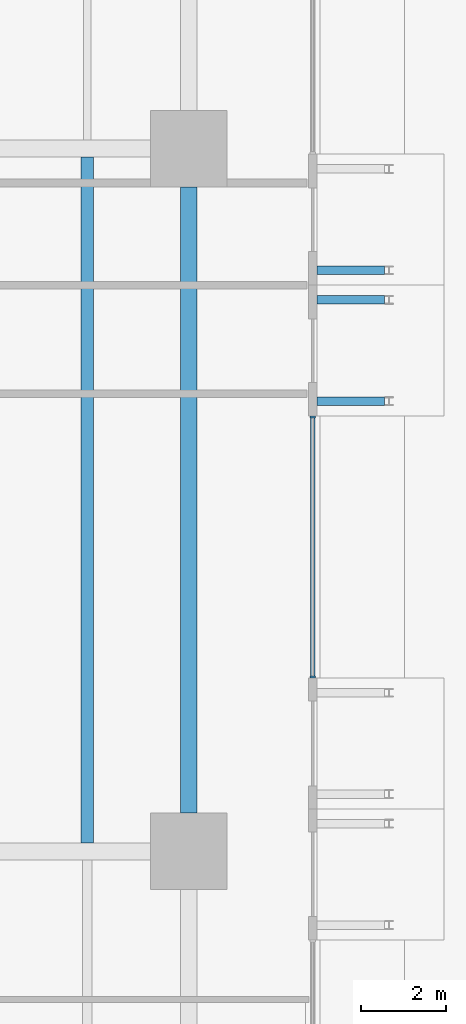
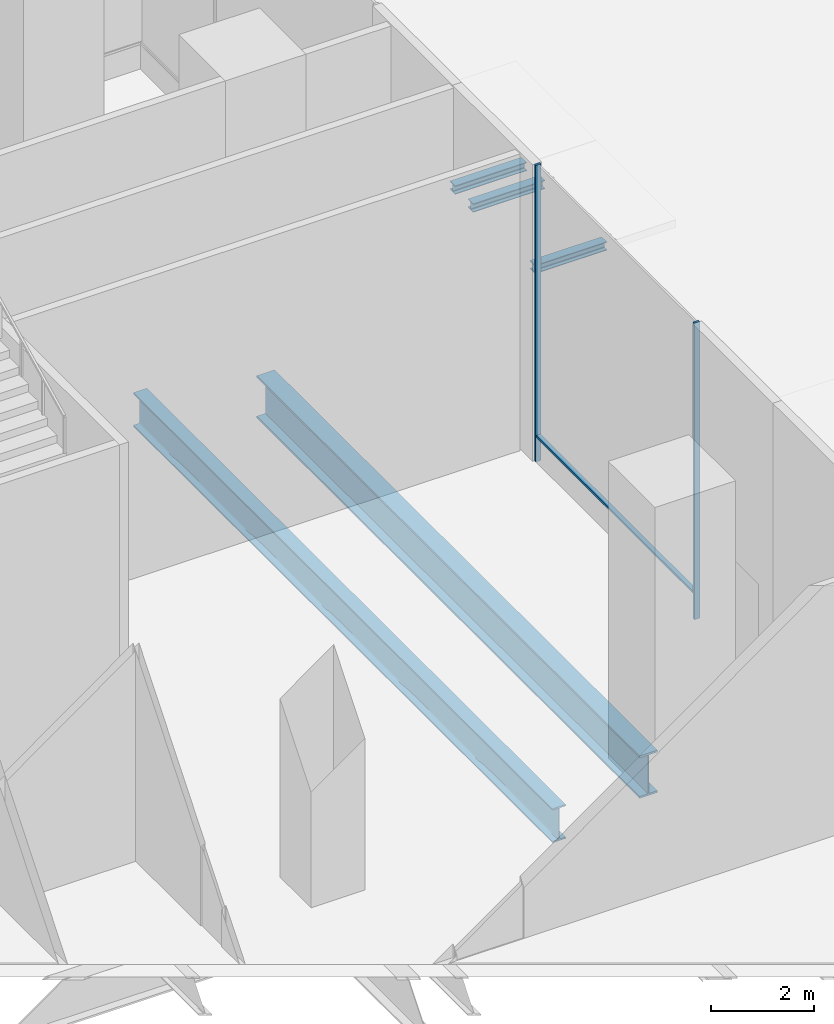
# One storey, part 21 of 41: 5 beams, 3 members, 1 element without a shape of its own.
"""IFC4 building model written with IfcOpenShell, lengths in metres."""

from ifc_helpers import new_model, si_unit, direction, frame, origin, origin_2d, place, context, subcontext, project, spatial, rectangle, i_section, extrude, material, layer, layer_set, material_profile, profile_set, type_object, element, aggregate, save


model = new_model("IFC4")

# Units and contexts
model_context = context("Model", 3, precision=1e-05, world=origin(), true_north=direction((0.0, 1.0)))
body_context = subcontext(model_context, "Body", "Model", "MODEL_VIEW")
ifc_project = project(units=[si_unit("LENGTHUNIT", "METRE"), si_unit("AREAUNIT", "SQUARE_METRE"), si_unit("VOLUMEUNIT", "CUBIC_METRE"), si_unit("PLANEANGLEUNIT", "RADIAN"), si_unit("MASSUNIT", "GRAM", prefix="KILO")], contexts=[model_context])

# Site, building, storey
site_placement = place(None, origin())
site = spatial("IfcSite", under=ifc_project, at=site_placement, CompositionType="ELEMENT")
building_placement = place(site_placement, origin())
building = spatial("IfcBuilding", under=site, at=building_placement, Name="Rattan Terrace Tower", CompositionType="ELEMENT")
storey_placement = place(building_placement, origin())
storey = spatial("IfcBuildingStorey", under=building, at=storey_placement, Name="L00", CompositionType="ELEMENT", Elevation=0.0)

# Beams
ifc_material_1 = material(Name="Structural steel S355", Category="steel")
ifc_material_profile_1 = material_profile(ifc_material_1, i_section(OverallWidth=0.199951171875, OverallDepth=0.199951171875, WebThickness=0.009033203125, FlangeThickness=0.014892578125, FilletRadius=0.01806640625, at=origin_2d()), Name="HE 200 B")
ifc_profile_set_1 = profile_set([ifc_material_profile_1], Name="Structural steel S355")
beam_type_1 = type_object("IfcBeamType", Name="Canopy beam HE 200 B", PredefinedType="BEAM", material=ifc_profile_set_1)
for number, where, z_axis, x_axis, name in (
    (1, (36.929931640625, -2.865966796875, 4.300048828125), (1.0, 0.0, 0.0), (0.0, 1.0, 0.0), "Canopy beam 011a"),
    (2, (36.929931640625, -0.471923828125, 4.300048828125), (1.0, 0.0, 0.0), (0.0, 1.0, 0.0), "Canopy beam 011b"),
    (3, (36.929931640625, 0.22802734375, 4.300048828125), (1.0, 0.0, 0.0), (0.0, 1.0, 0.0), "Canopy beam 016a"),
):
    element("IfcBeam", number, at=place(storey_placement, frame(where, z_axis=z_axis, x_axis=x_axis)), inside=storey, type_object=beam_type_1, Name=name, PredefinedType="BEAM", context=body_context, shape_type="SweptSolid", body=[
        extrude(i_section(OverallWidth=0.199951171875, OverallDepth=0.199951171875, WebThickness=0.009033203125, FlangeThickness=0.014892578125, FilletRadius=0.01806640625, at=origin_2d()), origin(), (0.0, 0.0, 1.0), 1.60009765625),
    ])
ifc_material_2 = material(Name="Steel S355", Category="steel")
ifc_material_profile_2 = material_profile(ifc_material_2, i_section(OverallWidth=0.300048828125, OverallDepth=0.800048828125, WebThickness=0.017578125, FlangeThickness=0.032958984375, FilletRadius=0.030029296875, at=origin_2d()), Name="HE 800 B")
ifc_profile_set_2 = profile_set([ifc_material_profile_2], Name="Steel S355")
beam_type_2 = type_object("IfcBeamType", Name="Frame floor beam HE 800 B", PredefinedType="JOIST", material=ifc_profile_set_2)
beam_1_placement = place(storey_placement, frame((31.5, -13.300048828125, -0.60009765625), z_axis=(0.0, 1.0, 0.0), x_axis=(-1.0, 0.0, 0.0)))
element("IfcBeam", 4, at=beam_1_placement, inside=storey, type_object=beam_type_2, Name="bm-L00-038", PredefinedType="JOIST", context=body_context, shape_type="SweptSolid", body=[
    extrude(i_section(OverallWidth=0.300048828125, OverallDepth=0.800048828125, WebThickness=0.017578125, FlangeThickness=0.032958984375, FilletRadius=0.030029296875, at=origin_2d()), origin(), (0.0, 0.0, 1.0), 16.199951171875),
])
ifc_material_3 = material(Name="Steel S460", Category="steel")
ifc_material_profile_3 = material_profile(ifc_material_3, i_section(OverallWidth=0.39990234375, OverallDepth=1.0, WebThickness=0.01806640625, FlangeThickness=0.044921875, at=origin_2d()), Name="PG 1000x400-18-45")
ifc_profile_set_3 = profile_set([ifc_material_profile_3], Name="Steel S460")
beam_type_3 = type_object("IfcBeamType", Name="Frame podium girder PG 1000x400-18-45", PredefinedType="USERDEFINED", material=ifc_profile_set_3)
beam_2_placement = place(storey_placement, frame((33.89990234375, -12.60009765625, -0.699951171875), z_axis=(0.0, 1.0, 0.0), x_axis=(-1.0, 0.0, 0.0)))
element("IfcBeam", 5, at=beam_2_placement, inside=storey, type_object=beam_type_3, Name="gdr-L00-039", ObjectType="PODIUM GIRDER", PredefinedType="USERDEFINED", context=body_context, shape_type="SweptSolid", body=[
    extrude(i_section(OverallWidth=0.39990234375, OverallDepth=1.0, WebThickness=0.01806640625, FlangeThickness=0.044921875, at=origin_2d()), origin(), (0.0, 0.0, 1.0), 14.800048828125),
])

# Curtain wall, members
ifc_material_4 = material(Name="Aluminium and glass", Category="aluminium")
ifc_layer = layer(ifc_material_4, 0.1201171875)
ifc_layer_set = layer_set([ifc_layer], Name="Station Storefront Curtain Wall")
curtain_wall_type = type_object("IfcCurtainWallType", Name="Station Storefront Curtain Wall", PredefinedType="NOTDEFINED", material=ifc_layer_set)
curtain_wall_placement = place(storey_placement, origin())
curtain_wall = element("IfcCurtainWall", 6, at=curtain_wall_placement, inside=storey, type_object=curtain_wall_type, Name="Storefront curtain wall L00-2", PredefinedType="NOTDEFINED")
ifc_material_5 = material(Name="Aluminium", Category="aluminium")
ifc_material_profile_4 = material_profile(ifc_material_5, rectangle(XDim=0.050048828125, YDim=0.1201171875, at=origin_2d()), Name="Aluminium 50x120")
ifc_profile_set_4 = profile_set([ifc_material_profile_4], Name="Aluminium")
member_type_1 = type_object("IfcMemberType", Name="Storefront CW Mullion 50x120", PredefinedType="MULLION", material=ifc_profile_set_4)
member_1_placement = place(storey_placement, frame((36.830078125, -9.37890625, 0.0), z_axis=(0.0, 0.0, 1.0), x_axis=(0.0, 1.0, 0.0)))
member_1 = element("IfcMember", 7, at=member_1_placement, type_object=member_type_1, Name="Mullion cwl-L00-002.1", PredefinedType="MULLION", context=body_context, shape_type="SweptSolid", body=[
    extrude(rectangle(XDim=0.050048828125, YDim=0.1201171875, at=origin_2d()), origin(), (0.0, 0.0, 1.0), 7.0),
])
member_2_placement = place(storey_placement, frame((36.830078125, -3.240966796875, 0.0), z_axis=(0.0, 0.0, 1.0), x_axis=(0.0, 1.0, 0.0)))
member_2 = element("IfcMember", 8, at=member_2_placement, type_object=member_type_1, Name="Mullion cwl-L00-002.2", PredefinedType="MULLION", context=body_context, shape_type="SweptSolid", body=[
    extrude(rectangle(XDim=0.050048828125, YDim=0.1201171875, at=origin_2d()), origin(), (0.0, 0.0, 1.0), 7.0),
])
ifc_material_6 = material(Name="Aluminium", Category="aluminium")
ifc_material_profile_5 = material_profile(ifc_material_6, rectangle(XDim=0.10009765625, YDim=0.050048828125, at=origin_2d()), Name="Aluminium 100x50")
ifc_profile_set_5 = profile_set([ifc_material_profile_5], Name="Aluminium")
member_type_2 = type_object("IfcMemberType", Name="Storefront CW Transom 100x50", PredefinedType="USERDEFINED", material=ifc_profile_set_5)
member_3_placement = place(storey_placement, frame((36.830078125, -9.35400390625, 0.60009765625), z_axis=(0.0, 1.0, 0.0), x_axis=(-1.0, 0.0, 0.0)))
member_3 = element("IfcMember", 9, at=member_3_placement, type_object=member_type_2, Name="Transom cwl-L00-002.1", ObjectType="TRANSOM", PredefinedType="USERDEFINED", context=body_context, shape_type="SweptSolid", body=[
    extrude(rectangle(XDim=0.10009765625, YDim=0.050048828125, at=origin_2d()), origin(), (0.0, 0.0, 1.0), 6.087890625),
])
aggregate(curtain_wall, [member_1, member_2, member_3])

save(model, "model.ifc")
